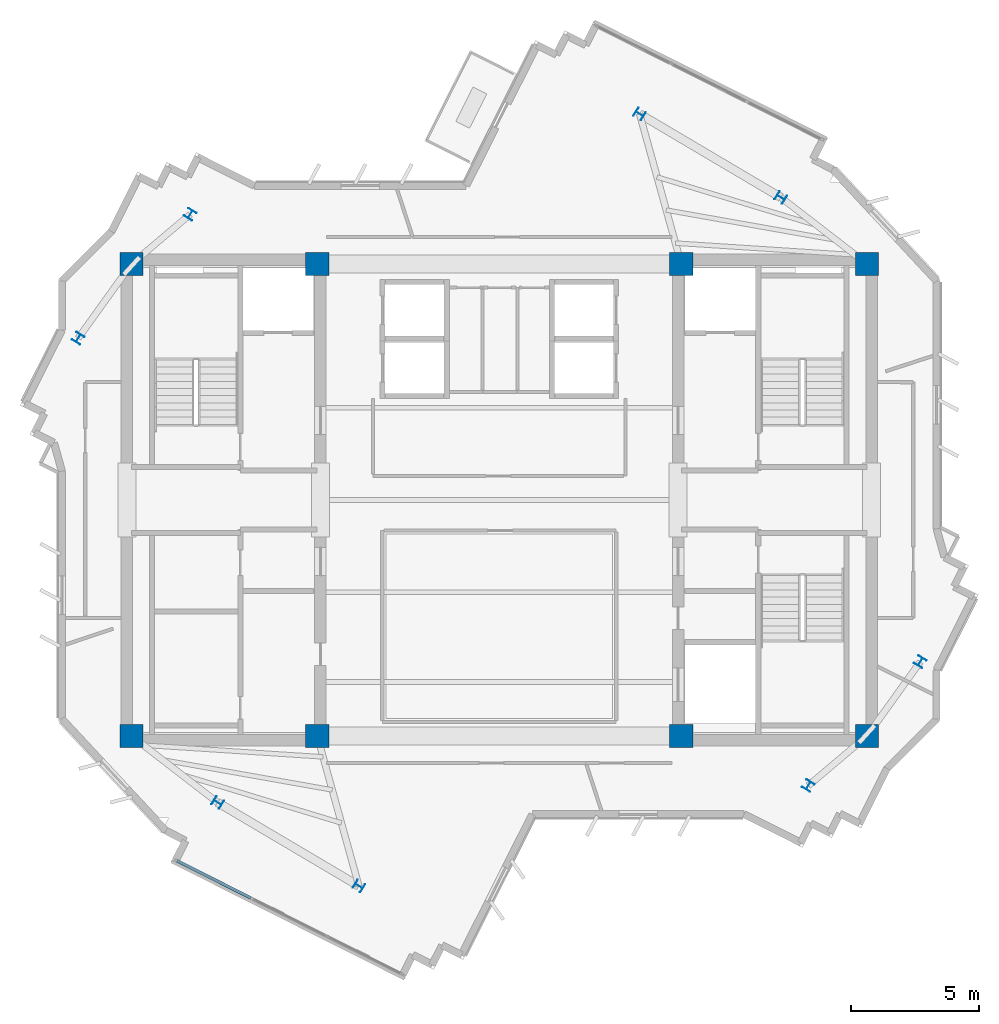
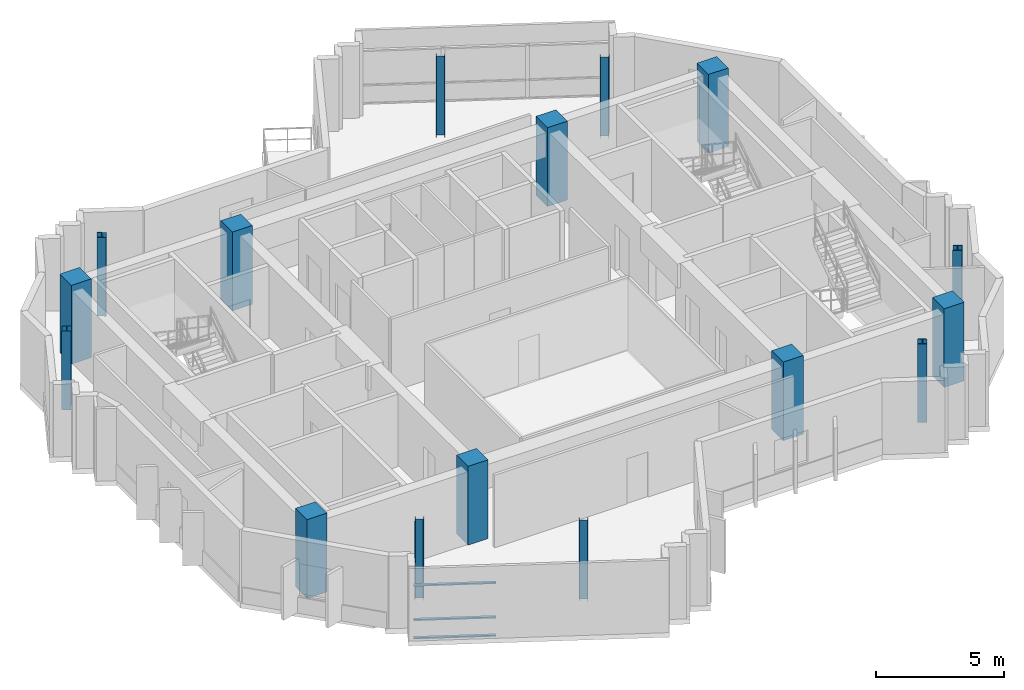
# One storey, part 1 of 11: 16 columns, 3 members, 1 element without a shape of its own.
"""IFC4 building model written with IfcOpenShell, lengths in metres."""

from ifc_helpers import new_model, si_unit, direction, frame, origin, origin_2d, place, context, subcontext, project, spatial, rectangle, i_section, extrude, source, transform, mapped, material, layer, layer_set, material_profile, profile_set, type_object, element, aggregate, save


model = new_model("IFC4")

# Units and contexts
model_context = context("Model", 3, precision=1e-05, world=origin(), true_north=direction((0.0, 1.0)))
body_context = subcontext(model_context, "Body", "Model", "MODEL_VIEW")
ifc_project = project(units=[si_unit("LENGTHUNIT", "METRE"), si_unit("AREAUNIT", "SQUARE_METRE"), si_unit("VOLUMEUNIT", "CUBIC_METRE"), si_unit("PLANEANGLEUNIT", "RADIAN"), si_unit("MASSUNIT", "GRAM", prefix="KILO")], contexts=[model_context])

# Site, building, storey
site_placement = place(None, origin())
site = spatial("IfcSite", under=ifc_project, at=site_placement, CompositionType="ELEMENT")
building_placement = place(site_placement, origin())
building = spatial("IfcBuilding", under=site, at=building_placement, Name="Zahravan Cultural Tower", CompositionType="ELEMENT")
storey_placement = place(building_placement, frame((0.0, 0.0, 357.300048828125)))
storey = spatial("IfcBuildingStorey", under=building, at=storey_placement, Name="L87", CompositionType="ELEMENT", Elevation=357.300048828125)

# Columns
ifc_material_1 = material(Name="Concrete C50/60", Category="concrete")
ifc_material_profile_1 = material_profile(ifc_material_1, rectangle(XDim=0.89990234375, YDim=0.89990234375, at=origin_2d()), Name="RC900X900")
ifc_profile_set_1 = profile_set([ifc_material_profile_1], Name="Concrete C50/60")
column_type_1 = type_object("IfcColumnType", Name="COL-RC900", PredefinedType="COLUMN", material=ifc_profile_set_1)
shared_shape_1 = source(origin(), body_context, "Body", "SweptSolid", [
    extrude(rectangle(XDim=0.89990234375, YDim=0.89990234375, at=origin_2d()), origin(), (0.0, 0.0, 1.0), 3.75),
])
for number, where, z_axis, x_axis, name in (
    (1, (21.64990234375, 17.800048828125, 0.0), (0.0, 0.0, 1.0), (1.0, 0.0, 0.0), "L87 Column CC-W1"),
    (2, (28.89990234375, 17.800048828125, 0.0), (0.0, 0.0, 1.0), (1.0, 0.0, 0.0), "L87 Column CC-W2"),
    (3, (21.64990234375, 36.199951171875, 0.0), (0.0, 0.0, 1.0), (1.0, 0.0, 0.0), "L87 Column CC-W3"),
    (4, (28.89990234375, 36.199951171875, 0.0), (0.0, 0.0, 1.0), (1.0, 0.0, 0.0), "L87 Column CC-W4"),
    (5, (43.10009765625, 17.800048828125, 0.0), (0.0, 0.0, 1.0), (1.0, 0.0, 0.0), "L87 Column CC-E1"),
    (6, (50.35009765625, 17.800048828125, 0.0), (0.0, 0.0, 1.0), (1.0, 0.0, 0.0), "L87 Column CC-E2"),
    (7, (43.10009765625, 36.199951171875, 0.0), (0.0, 0.0, 1.0), (1.0, 0.0, 0.0), "L87 Column CC-E3"),
    (8, (50.35009765625, 36.199951171875, 0.0), (0.0, 0.0, 1.0), (1.0, 0.0, 0.0), "L87 Column CC-E4"),
):
    element("IfcColumn", number, at=place(storey_placement, frame(where, z_axis=z_axis, x_axis=x_axis)), inside=storey, type_object=column_type_1, Name=name, PredefinedType="COLUMN", context=body_context, shape_type="MappedRepresentation", body=[
        mapped(shared_shape_1, transform((0.0, 0.0, 0.0), x_axis=(1.0, 0.0, 0.0), y_axis=(0.0, 1.0, 0.0), z_axis=(0.0, 0.0, 1.0), scale=1.0)),
    ])
ifc_material_2 = material(Name="Steel ASTM A992 Grade 50", Category="steel")
ifc_material_profile_2 = material_profile(ifc_material_2, i_section(OverallWidth=0.368896484375, OverallDepth=0.35595703125, WebThickness=0.01123046875, FlangeThickness=0.01806640625, FilletRadius=0.01806640625, at=origin_2d()), Name="W14X90")
ifc_profile_set_2 = profile_set([ifc_material_profile_2], Name="Steel ASTM A992 Grade 50")
column_type_2 = type_object("IfcColumnType", Name="COL-W14X90", PredefinedType="COLUMN", material=ifc_profile_set_2)
shared_shape_2 = source(origin(), body_context, "Body", "SweptSolid", [
    extrude(i_section(OverallWidth=0.368896484375, OverallDepth=0.35595703125, WebThickness=0.01123046875, FlangeThickness=0.01806640625, FilletRadius=0.01806640625, at=origin_2d()), origin(), (0.0, 0.0, 1.0), 3.75),
])
for number, where, z_axis, x_axis, name in (
    (9, (46.98388671875, 38.7998046875, 0.0), (0.0, 0.0, 1.0), (0.522498564716, 0.852640164354, 0.0), "L87 Column Z4C-E1"),
    (10, (41.474853515625, 42.058349609375, 0.0), (0.0, 0.0, 1.0), (0.522498564716, 0.852640164354, 0.0), "L87 Column Z4C-E2"),
    (11, (23.944580078125, 38.140625, 0.0), (0.0, 0.0, 1.0), (-0.852640164354, 0.522498564716, 0.0), "L87 Column Z4C-N1"),
    (12, (19.577392578125, 33.310791015625, 0.0), (0.0, 0.0, 1.0), (-0.852640164354, 0.522498564716, 0.0), "L87 Column Z4C-N2"),
    (13, (25.01611328125, 15.2001953125, 0.0), (0.0, 0.0, 1.0), (0.522498564716, 0.852640164354, 0.0), "L87 Column Z4C-W1"),
    (14, (30.525146484375, 11.941650390625, 0.0), (0.0, 0.0, 1.0), (0.522498564716, 0.852640164354, 0.0), "L87 Column Z4C-W2"),
    (15, (48.055419921875, 15.859375, 0.0), (0.0, 0.0, 1.0), (-0.852640164354, 0.522498564716, 0.0), "L87 Column Z4C-S1"),
    (16, (52.422607421875, 20.689208984375, 0.0), (0.0, 0.0, 1.0), (-0.852640164354, 0.522498564716, 0.0), "L87 Column Z4C-S2"),
):
    element("IfcColumn", number, at=place(storey_placement, frame(where, z_axis=z_axis, x_axis=x_axis)), inside=storey, type_object=column_type_2, Name=name, PredefinedType="COLUMN", context=body_context, shape_type="MappedRepresentation", body=[
        mapped(shared_shape_2, transform((0.0, 0.0, 0.0), x_axis=(1.0, 0.0, 0.0), y_axis=(0.0, 1.0, 0.0), z_axis=(0.0, 0.0, 1.0), scale=1.0)),
    ])

# Curtain wall, members
ifc_material_3 = material(Name="Anodised bronze-aluminium mullion", Category="aluminium")
ifc_layer = layer(ifc_material_3, 0.14990234375)
ifc_layer_set = layer_set([ifc_layer], Name="Anodised bronze-aluminium mullion")
curtain_wall_type = type_object("IfcCurtainWallType", Name="CW-SYS-6", PredefinedType="USERDEFINED", material=ifc_layer_set)
curtain_wall_placement = place(storey_placement, origin())
curtain_wall = element("IfcCurtainWall", 17, at=curtain_wall_placement, inside=storey, type_object=curtain_wall_type, Name="L87 Recessed Curtain Wall CW-6.2", ObjectType="OBSERVATORY LANTERN", PredefinedType="USERDEFINED")
ifc_material_profile_3 = material_profile(ifc_material_3, rectangle(XDim=0.1201171875, YDim=0.06005859375, at=origin_2d()), Name="AL-T60X120")
ifc_profile_set_3 = profile_set([ifc_material_profile_3], Name="Anodised bronze-aluminium mullion")
member_type = type_object("IfcMemberType", Name="CWT-CW-6", PredefinedType="USERDEFINED", material=ifc_profile_set_3)
shared_shape_3 = source(origin(), body_context, "Body", "SweptSolid", [
    extrude(rectangle(XDim=0.1201171875, YDim=0.06005859375, at=origin_2d()), origin(), (0.0, 0.0, 1.0), 3.216796875),
])
member_1_placement = place(storey_placement, frame((26.3095703125, 11.479248046875, 0.030029296875), z_axis=(-0.893377366752, 0.449307111645, 0.0), x_axis=(-0.449307111645, -0.893377366752, 0.0)))
member_1 = element("IfcMember", 18, at=member_1_placement, type_object=member_type, Name="CW-6 transom 3.1", ObjectType="TRANSOM", PredefinedType="USERDEFINED", context=body_context, shape_type="MappedRepresentation", body=[
    mapped(shared_shape_3, transform((0.0, 0.0, 0.0), x_axis=(1.0, 0.0, 0.0), y_axis=(0.0, 1.0, 0.0), z_axis=(0.0, 0.0, 1.0), scale=1.0)),
])
member_2_placement = place(storey_placement, frame((26.3095703125, 11.479248046875, 0.89990234375), z_axis=(-0.893377366752, 0.449307111645, 0.0), x_axis=(-0.449307111645, -0.893377366752, 0.0)))
member_2 = element("IfcMember", 19, at=member_2_placement, type_object=member_type, Name="CW-6 transom 3.2", ObjectType="TRANSOM", PredefinedType="USERDEFINED", context=body_context, shape_type="MappedRepresentation", body=[
    mapped(shared_shape_3, transform((0.0, 0.0, 0.0), x_axis=(1.0, 0.0, 0.0), y_axis=(0.0, 1.0, 0.0), z_axis=(0.0, 0.0, 1.0), scale=1.0)),
])
member_3_placement = place(storey_placement, frame((26.3095703125, 11.479248046875, 2.5400390625), z_axis=(-0.893377366752, 0.449307111645, 0.0), x_axis=(-0.449307111645, -0.893377366752, 0.0)))
member_3 = element("IfcMember", 20, at=member_3_placement, type_object=member_type, Name="CW-6 transom 3.3", ObjectType="TRANSOM", PredefinedType="USERDEFINED", context=body_context, shape_type="MappedRepresentation", body=[
    mapped(shared_shape_3, transform((0.0, 0.0, 0.0), x_axis=(1.0, 0.0, 0.0), y_axis=(0.0, 1.0, 0.0), z_axis=(0.0, 0.0, 1.0), scale=1.0)),
])
aggregate(curtain_wall, [member_1, member_2, member_3])

save(model, "model.ifc")
